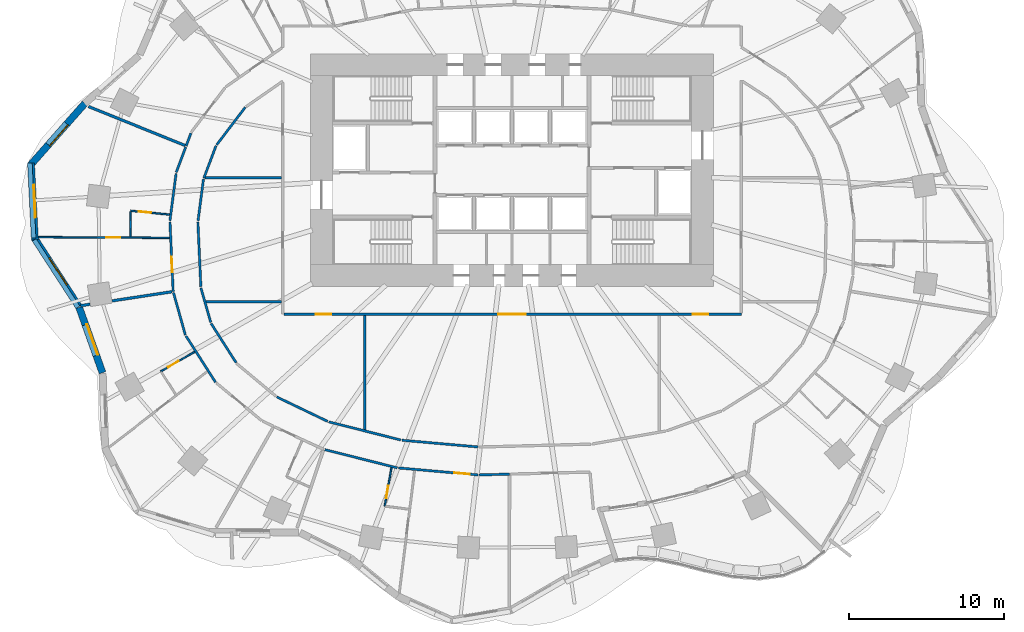
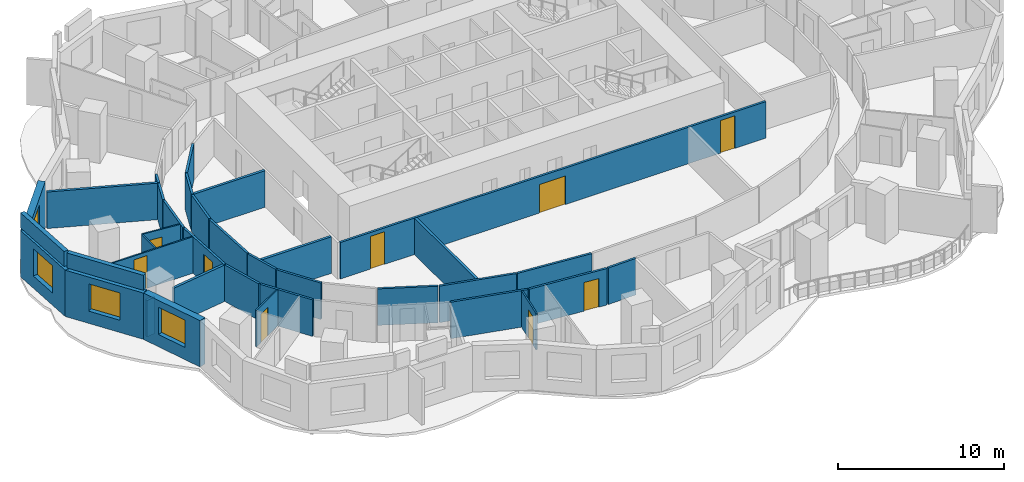
# One storey, part 5 of 14: 36 walls, 9 doors, 4 windows, 13 openings.
"""IFC4 building model written with IfcOpenShell, lengths in metres."""

from ifc_helpers import new_model, si_unit, direction, frame, frame_2d, origin, place, context, subcontext, project, spatial, rectangle, extrude, material, layer, layer_set, type_object, element, fill, save


model = new_model("IFC4")

# Units and contexts
model_context = context("Model", 3, precision=1e-05, world=origin(), true_north=direction((0.0, 1.0)))
body_context = subcontext(model_context, "Body", "Model", "MODEL_VIEW")
ifc_project = project(units=[si_unit("LENGTHUNIT", "METRE"), si_unit("AREAUNIT", "SQUARE_METRE"), si_unit("VOLUMEUNIT", "CUBIC_METRE"), si_unit("PLANEANGLEUNIT", "RADIAN"), si_unit("MASSUNIT", "GRAM", prefix="KILO")], contexts=[model_context])

# Site, building, storey
site_placement = place(None, origin())
site = spatial("IfcSite", under=ifc_project, at=site_placement, CompositionType="ELEMENT")
building_placement = place(site_placement, origin())
building = spatial("IfcBuilding", under=site, at=building_placement, Name="Rubra Terraces Tower", CompositionType="ELEMENT")
storey_placement = place(building_placement, frame((0.0, 0.0, 44.699951171875)))
storey = spatial("IfcBuildingStorey", under=building, at=storey_placement, Name="L08", CompositionType="ELEMENT", Elevation=44.699951171875)

# Walls
ifc_material_1 = material(Name="Twin plasterboard on staggered steel stud, acoustic mineral wool", Category="steel")
ifc_layer_1 = layer(ifc_material_1, 0.175048828125)
ifc_layer_set_1 = layer_set([ifc_layer_1], Name="Twin plasterboard on staggered steel stud, acoustic mineral wool")
wall_type_1 = type_object("IfcWallType", Name="ACOUSTIC PARTY WALL 175", PredefinedType="PARTITIONING", material=ifc_layer_set_1)
wall_1_placement = place(storey_placement, frame((-27.329345703125, 8.60595703125, 0.0), z_axis=(0.0, 0.0, 1.0), x_axis=(0.92718069074, -0.374614424068, 0.0)))
element("IfcWall", 1, at=wall_1_placement, inside=storey, type_object=wall_type_1, Name="PARTITION", PredefinedType="PARTITIONING", context=body_context, shape_type="SweptSolid", body=[
    extrude(rectangle(XDim=6.7197265625, YDim=0.175048828125, at=frame_2d((3.35986328125, 0.0))), origin(), (0.0, 0.0, 1.0), 2.679931640625),
])
wall_2_placement = place(storey_placement, frame((-27.844970703125, -4.249267578125, 0.0), z_axis=(0.0, 0.0, 1.0), x_axis=(0.988533937995, 0.15099885242, 0.0)))
element("IfcWall", 2, at=wall_2_placement, inside=storey, type_object=wall_type_1, Name="PARTITION", PredefinedType="PARTITIONING", context=body_context, shape_type="SweptSolid", body=[
    extrude(rectangle(XDim=0.6240234375, YDim=0.175048828125, at=frame_2d((0.31201171875, 0.0))), origin(), (0.0, 0.0, 1.0), 2.679931640625),
])
wall_3_placement = place(storey_placement, frame((-25.804443359375, -3.937744140625, 0.0), z_axis=(0.0, 0.0, 1.0), x_axis=(0.988549437975, 0.15089734484, 0.0)))
element("IfcWall", 3, at=wall_3_placement, inside=storey, type_object=wall_type_1, Name="PARTITION", PredefinedType="PARTITIONING", context=body_context, shape_type="SweptSolid", body=[
    extrude(rectangle(XDim=3.9072265625, YDim=0.175048828125, at=frame_2d((1.95361328125, 0.0))), origin(), (0.0, 0.0, 1.0), 2.679931640625),
])
wall_4_placement = place(storey_placement, frame((-9.5, -12.256591796875, 0.0), z_axis=(0.0, 0.0, 1.0), x_axis=(0.0, 1.0, 0.0)))
element("IfcWall", 4, at=wall_4_placement, inside=storey, type_object=wall_type_1, Name="PARTITION", PredefinedType="PARTITIONING", context=body_context, shape_type="SweptSolid", body=[
    extrude(rectangle(XDim=7.381591796875, YDim=0.175048828125, at=frame_2d((3.69091796875, 0.0))), origin(), (0.0, 0.0, 1.0), 2.679931640625),
])
wall_5_placement = place(storey_placement, frame((-19.805419921875, 4.0, 0.0), z_axis=(0.0, 0.0, 1.0), x_axis=(1.0, 0.0, 0.0)))
element("IfcWall", 5, at=wall_5_placement, inside=storey, type_object=wall_type_1, Name="PARTITION", PredefinedType="PARTITIONING", context=body_context, shape_type="SweptSolid", body=[
    extrude(rectangle(XDim=4.930419921875, YDim=0.175048828125, at=frame_2d((2.46533203125, 0.0))), origin(), (0.0, 0.0, 1.0), 2.679931640625),
])
wall_6_placement = place(storey_placement, frame((-19.74462890625, -4.0, 0.0), z_axis=(0.0, 0.0, 1.0), x_axis=(1.0, 0.0, 0.0)))
element("IfcWall", 6, at=wall_6_placement, inside=storey, type_object=wall_type_1, Name="PARTITION", PredefinedType="PARTITIONING", context=body_context, shape_type="SweptSolid", body=[
    extrude(rectangle(XDim=4.86962890625, YDim=0.175048828125, at=frame_2d((2.434814453125, 0.0))), origin(), (0.0, 0.0, 1.0), 2.679931640625),
])

# Wall, opening, window
ifc_material_2 = material(Name="Brick masonry red-brown", Category="masonry")
ifc_layer_2 = layer(ifc_material_2, 0.449951171875)
ifc_layer_set_2 = layer_set([ifc_layer_2], Name="Brick masonry red-brown")
wall_type_2 = type_object("IfcWallType", Name="Brick facade wall 450", PredefinedType="SOLIDWALL", material=ifc_layer_set_2)
wall_7_placement = place(storey_placement, frame((-27.560791015625, 8.81005859375, 0.0), z_axis=(0.0, 0.0, 1.0), x_axis=(-0.661706312809, -0.749763132989, 0.0)))
wall_7 = element("IfcWall", 7, at=wall_7_placement, inside=storey, type_object=wall_type_2, Name="Facade wall L08 bay 19", PredefinedType="SOLIDWALL", context=body_context, shape_type="SweptSolid", body=[
    extrude(rectangle(XDim=5.33984375, YDim=0.449951171875, at=frame_2d((2.669921875, 0.0))), origin(), (0.0, 0.0, 1.0), 3.400146484375),
])
opening_1_placement = place(wall_7_placement, frame((1.77001953125, 0.0, 0.89990234375)))
opening_1 = element("IfcOpeningElement", 8, at=opening_1_placement, cuts=wall_7, Name="Opening W6", PredefinedType="OPENING", context=body_context, shape_type="SweptSolid", body=[
    extrude(rectangle(XDim=1.800048828125, YDim=2.0, at=frame_2d((0.89990234375, 1.0))), frame((0.0, 0.23486328125, 0.0), z_axis=(0.0, -1.0, 0.0), x_axis=(1.0, 0.0, 0.0)), (0.0, 0.0, 1.0), 0.469970703125),
])
ifc_material_3 = material(Name="Clear glass in aluminium frame", Category="aluminium")
window_type_1 = type_object("IfcWindowType", Name="Fixed deep-set window at wind fin 1800 x 2000", PartitioningType="SINGLE_PANEL", PredefinedType="WINDOW", material=ifc_material_3)
window_1_placement = place(opening_1_placement, origin())
window_1 = element("IfcWindow", 9, at=window_1_placement, inside=storey, type_object=window_type_1, Name="Window L08 bay 19", OverallHeight=2.0, OverallWidth=1.800048828125, PartitioningType="SINGLE_PANEL", PredefinedType="WINDOW", context=body_context, shape_type="SweptSolid", body=[
    extrude(rectangle(XDim=1.800048828125, YDim=2.0, at=frame_2d((0.89990234375, 1.0))), frame((0.0, 0.135009765625, 0.0), z_axis=(0.0, -1.0, 0.0), x_axis=(1.0, 0.0, 0.0)), (0.0, 0.0, 1.0), 0.06005859375),
])
fill(opening_1, window_1)

wall_8_placement = place(storey_placement, frame((-31.041259765625, 4.96337890625, 0.0), z_axis=(0.0, 0.0, 1.0), x_axis=(0.050222481563, -0.99873805492, 0.0)))
wall_8 = element("IfcWall", 10, at=wall_8_placement, inside=storey, type_object=wall_type_2, Name="Facade wall L08 bay 20", PredefinedType="SOLIDWALL", context=body_context, shape_type="SweptSolid", body=[
    extrude(rectangle(XDim=4.95849609375, YDim=0.449951171875, at=frame_2d((2.479248046875, 0.0))), origin(), (0.0, 0.0, 1.0), 3.400146484375),
])
opening_2_placement = place(wall_8_placement, frame((1.42919921875, 0.0, 0.89990234375)))
opening_2 = element("IfcOpeningElement", 11, at=opening_2_placement, cuts=wall_8, Name="Opening W1", PredefinedType="OPENING", context=body_context, shape_type="SweptSolid", body=[
    extrude(rectangle(XDim=2.10009765625, YDim=2.0, at=frame_2d((1.050048828125, 1.0))), frame((0.0, 0.23486328125, 0.0), z_axis=(0.0, -1.0, 0.0), x_axis=(1.0, 0.0, 0.0)), (0.0, 0.0, 1.0), 0.469970703125),
])
window_type_2 = type_object("IfcWindowType", Name="Fixed deep-set window 2100 x 2000", PartitioningType="SINGLE_PANEL", PredefinedType="WINDOW", material=ifc_material_3)
window_2_placement = place(opening_2_placement, origin())
window_2 = element("IfcWindow", 12, at=window_2_placement, inside=storey, type_object=window_type_2, Name="Window L08 bay 20", OverallHeight=2.0, OverallWidth=2.10009765625, PartitioningType="SINGLE_PANEL", PredefinedType="WINDOW", context=body_context, shape_type="SweptSolid", body=[
    extrude(rectangle(XDim=2.10009765625, YDim=2.0, at=frame_2d((1.050048828125, 1.0))), frame((0.0, 0.135009765625, 0.0), z_axis=(0.0, -1.0, 0.0), x_axis=(1.0, 0.0, 0.0)), (0.0, 0.0, 1.0), 0.06005859375),
])
fill(opening_2, window_2)

wall_9_placement = place(storey_placement, frame((-30.8251953125, 0.117431640625, 0.0), z_axis=(0.0, 0.0, 1.0), x_axis=(0.543975629516, -0.839101015666, 0.0)))
wall_9 = element("IfcWall", 13, at=wall_9_placement, inside=storey, type_object=wall_type_2, Name="Facade wall L08 bay 21", PredefinedType="SOLIDWALL", context=body_context, shape_type="SweptSolid", body=[
    extrude(rectangle(XDim=5.281005859375, YDim=0.449951171875, at=frame_2d((2.640625, 0.0))), origin(), (0.0, 0.0, 1.0), 3.400146484375),
])
opening_3_placement = place(wall_9_placement, frame((1.590576171875, 0.0, 0.89990234375)))
opening_3 = element("IfcOpeningElement", 14, at=opening_3_placement, cuts=wall_9, Name="Opening W1", PredefinedType="OPENING", context=body_context, shape_type="SweptSolid", body=[
    extrude(rectangle(XDim=2.10009765625, YDim=2.0, at=frame_2d((1.050048828125, 1.0))), frame((0.0, 0.23486328125, 0.0), z_axis=(0.0, -1.0, 0.0), x_axis=(1.0, 0.0, 0.0)), (0.0, 0.0, 1.0), 0.469970703125),
])
window_3_placement = place(opening_3_placement, origin())
window_3 = element("IfcWindow", 15, at=window_3_placement, inside=storey, type_object=window_type_2, Name="Window L08 bay 21", OverallHeight=2.0, OverallWidth=2.10009765625, PartitioningType="SINGLE_PANEL", PredefinedType="WINDOW", context=body_context, shape_type="SweptSolid", body=[
    extrude(rectangle(XDim=2.10009765625, YDim=2.0, at=frame_2d((1.050048828125, 1.0))), frame((0.0, 0.135009765625, 0.0), z_axis=(0.0, -1.0, 0.0), x_axis=(1.0, 0.0, 0.0)), (0.0, 0.0, 1.0), 0.06005859375),
])
fill(opening_3, window_3)

wall_10_placement = place(storey_placement, frame((-27.9326171875, -4.35595703125, 0.0), z_axis=(0.0, 0.0, 1.0), x_axis=(0.335746005454, -0.941952557097, 0.0)))
wall_10 = element("IfcWall", 16, at=wall_10_placement, inside=storey, type_object=wall_type_2, Name="Facade wall L08 bay 22", PredefinedType="SOLIDWALL", context=body_context, shape_type="SweptSolid", body=[
    extrude(rectangle(XDim=4.47998046875, YDim=0.449951171875, at=frame_2d((2.239990234375, 0.0))), origin(), (0.0, 0.0, 1.0), 3.400146484375),
])
opening_4_placement = place(wall_10_placement, frame((1.18994140625, 0.0, 0.89990234375)))
opening_4 = element("IfcOpeningElement", 17, at=opening_4_placement, cuts=wall_10, Name="Opening W1", PredefinedType="OPENING", context=body_context, shape_type="SweptSolid", body=[
    extrude(rectangle(XDim=2.10009765625, YDim=2.0, at=frame_2d((1.050048828125, 1.0))), frame((0.0, 0.23486328125, 0.0), z_axis=(0.0, -1.0, 0.0), x_axis=(1.0, 0.0, 0.0)), (0.0, 0.0, 1.0), 0.469970703125),
])
window_4_placement = place(opening_4_placement, origin())
window_4 = element("IfcWindow", 18, at=window_4_placement, inside=storey, type_object=window_type_2, Name="Window L08 bay 22", OverallHeight=2.0, OverallWidth=2.10009765625, PartitioningType="SINGLE_PANEL", PredefinedType="WINDOW", context=body_context, shape_type="SweptSolid", body=[
    extrude(rectangle(XDim=2.10009765625, YDim=2.0, at=frame_2d((1.050048828125, 1.0))), frame((0.0, 0.135009765625, 0.0), z_axis=(0.0, -1.0, 0.0), x_axis=(1.0, 0.0, 0.0)), (0.0, 0.0, 1.0), 0.06005859375),
])
fill(opening_4, window_4)

# Walls
ifc_layer_3 = layer(ifc_material_2, 0.300048828125)
ifc_layer_set_3 = layer_set([ifc_layer_3], Name="Brick masonry red-brown")
wall_type_3 = type_object("IfcWallType", Name="Brick parapet 300", PredefinedType="PARAPET", material=ifc_layer_set_3)
wall_11_placement = place(storey_placement, frame((-31.1162109375, 4.95947265625, 3.60009765625), z_axis=(0.0, 0.0, 1.0), x_axis=(0.05021140618, -0.998738611795, 0.0)))
element("IfcWall", 19, at=wall_11_placement, inside=storey, type_object=wall_type_3, Name="Parapet L08 bay 20", PredefinedType="PARAPET", context=body_context, shape_type="SweptSolid", body=[
    extrude(rectangle(XDim=4.84765625, YDim=0.300048828125, at=frame_2d((2.423828125, 0.0))), origin(), (0.0, 0.0, 1.0), 1.099853515625),
])
wall_12_placement = place(storey_placement, frame((-30.8310546875, -0.01123046875, 3.60009765625), z_axis=(0.0, 0.0, 1.0), x_axis=(0.543918219167, -0.839138231079, 0.0)))
element("IfcWall", 20, at=wall_12_placement, inside=storey, type_object=wall_type_3, Name="Parapet L08 bay 21", PredefinedType="PARAPET", context=body_context, shape_type="SweptSolid", body=[
    extrude(rectangle(XDim=5.17431640625, YDim=0.300048828125, at=frame_2d((2.587158203125, 0.0))), origin(), (0.0, 0.0, 1.0), 1.099853515625),
])
ifc_material_4 = material(Name="Plasterboard on steel stud, mineral wool infill", Category="steel")
ifc_layer_4 = layer(ifc_material_4, 0.14990234375)
ifc_layer_set_4 = layer_set([ifc_layer_4], Name="Plasterboard on steel stud, mineral wool infill")
wall_type_4 = type_object("IfcWallType", Name="CORRIDOR PARTITION 150", PredefinedType="PARTITIONING", material=ifc_layer_set_4)
wall_13_placement = place(storey_placement, frame((-20.719970703125, 6.884521484375, 0.0), z_axis=(0.0, 0.0, 1.0), x_axis=(-0.351457811596, -0.936203720708, 0.0)))
element("IfcWall", 21, at=wall_13_placement, inside=storey, type_object=wall_type_4, Name="PARTITION", PredefinedType="PARTITIONING", context=body_context, shape_type="SweptSolid", body=[
    extrude(rectangle(XDim=0.880126953125, YDim=0.14990234375, at=frame_2d((0.43994140625, 0.0))), origin(), (0.0, 0.0, 1.0), 2.679931640625),
])
wall_14_placement = place(storey_placement, frame((-21.055908203125, 5.990234375, 0.0), z_axis=(0.0, 0.0, 1.0), x_axis=(-0.351445911603, -0.936208187967, 0.0)))
element("IfcWall", 22, at=wall_14_placement, inside=storey, type_object=wall_type_4, Name="PARTITION", PredefinedType="PARTITIONING", context=body_context, shape_type="SweptSolid", body=[
    extrude(rectangle(XDim=1.7421875, YDim=0.14990234375, at=frame_2d((0.87109375, 0.0))), origin(), (0.0, 0.0, 1.0), 2.679931640625),
])
wall_15_placement = place(storey_placement, frame((-21.677978515625, 4.28466796875, 0.0), z_axis=(0.0, 0.0, 1.0), x_axis=(-0.129922755307, -0.991524118543, 0.0)))
element("IfcWall", 23, at=wall_15_placement, inside=storey, type_object=wall_type_4, Name="PARTITION", PredefinedType="PARTITIONING", context=body_context, shape_type="SweptSolid", body=[
    extrude(rectangle(XDim=3.076171875, YDim=0.14990234375, at=frame_2d((1.5380859375, 0.0))), origin(), (0.0, 0.0, 1.0), 2.679931640625),
])

# Wall, opening, door
wall_16_placement = place(storey_placement, frame((-22.07421875, 1.159912109375, 0.0), z_axis=(0.0, 0.0, 1.0), x_axis=(0.04582833941, -0.998949329699, 0.0)))
wall_16 = element("IfcWall", 24, at=wall_16_placement, inside=storey, type_object=wall_type_4, Name="PARTITION", PredefinedType="PARTITIONING", context=body_context, shape_type="SweptSolid", body=[
    extrude(rectangle(XDim=4.50146484375, YDim=0.14990234375, at=frame_2d((2.250732421875, 0.0))), origin(), (0.0, 0.0, 1.0), 2.679931640625),
])
opening_5_placement = place(wall_16_placement, frame((2.26708984375, 0.0, 0.0)))
opening_5 = element("IfcOpeningElement", 25, at=opening_5_placement, cuts=wall_16, Name="Opening 08-115", PredefinedType="OPENING", context=body_context, shape_type="SweptSolid", body=[
    extrude(rectangle(XDim=1.0, YDim=2.10009765625, at=frame_2d((0.5, 1.050048828125))), frame((0.0, 0.0849609375, 0.0), z_axis=(0.0, -1.0, 0.0), x_axis=(1.0, 0.0, 0.0)), (0.0, 0.0, 1.0), 0.169921875),
])
ifc_material_5 = material(Name="Painted timber door leaf", Category="wood")
door_type_1 = type_object("IfcDoorType", Name="ROOM DOOR 1000 X 2100", OperationType="SINGLE_SWING_LEFT", PredefinedType="DOOR", material=ifc_material_5)
door_1_placement = place(opening_5_placement, origin())
door_1 = element("IfcDoor", 26, at=door_1_placement, inside=storey, type_object=door_type_1, Name="DOOR 08-115", OperationType="SINGLE_SWING_RIGHT", OverallHeight=2.10009765625, OverallWidth=1.0, PredefinedType="DOOR", context=body_context, shape_type="SweptSolid", body=[
    extrude(rectangle(XDim=1.0, YDim=2.10009765625, at=frame_2d((0.5, 1.050048828125))), frame((0.0, 0.02490234375, 0.0), z_axis=(0.0, -1.0, 0.0), x_axis=(1.0, 0.0, 0.0)), (0.0, 0.0, 1.0), 0.050048828125),
])
fill(opening_5, door_1)

# Walls
wall_17_placement = place(storey_placement, frame((-21.84765625, -3.408935546875, 0.0), z_axis=(0.0, 0.0, 1.0), x_axis=(0.27056596431, -0.962701438119, 0.0)))
element("IfcWall", 27, at=wall_17_placement, inside=storey, type_object=wall_type_4, Name="PARTITION", PredefinedType="PARTITIONING", context=body_context, shape_type="SweptSolid", body=[
    extrude(rectangle(XDim=2.834228515625, YDim=0.14990234375, at=frame_2d((1.4169921875, 0.0))), origin(), (0.0, 0.0, 1.0), 2.679931640625),
])
wall_18_placement = place(storey_placement, frame((-21.04052734375, -6.20068359375, 0.0), z_axis=(0.0, 0.0, 1.0), x_axis=(0.537680823918, -0.843148463552, 0.0)))
element("IfcWall", 28, at=wall_18_placement, inside=storey, type_object=wall_type_4, Name="PARTITION", PredefinedType="PARTITIONING", context=body_context, shape_type="SweptSolid", body=[
    extrude(rectangle(XDim=3.54931640625, YDim=0.14990234375, at=frame_2d((1.774658203125, 0.0))), origin(), (0.0, 0.0, 1.0), 2.679931640625),
])
wall_19_placement = place(storey_placement, frame((-12.082763671875, -13.539794921875, 0.0), z_axis=(0.0, 0.0, 1.0), x_axis=(0.969981460173, -0.243178878443, 0.0)))
element("IfcWall", 29, at=wall_19_placement, inside=storey, type_object=wall_type_4, Name="PARTITION", PredefinedType="PARTITIONING", context=body_context, shape_type="SweptSolid", body=[
    extrude(rectangle(XDim=4.822021484375, YDim=0.14990234375, at=frame_2d((2.4111328125, 0.0))), origin(), (0.0, 0.0, 1.0), 2.679931640625),
])

# Wall, opening, door
wall_20_placement = place(storey_placement, frame((-7.330810546875, -14.718994140625, 0.0), z_axis=(0.0, 0.0, 1.0), x_axis=(0.996139466017, -0.087784760882, 0.0)))
wall_20 = element("IfcWall", 30, at=wall_20_placement, inside=storey, type_object=wall_type_4, Name="PARTITION", PredefinedType="PARTITIONING", context=body_context, shape_type="SweptSolid", body=[
    extrude(rectangle(XDim=5.161865234375, YDim=0.14990234375, at=frame_2d((2.5810546875, 0.0))), origin(), (0.0, 0.0, 1.0), 2.679931640625),
])
opening_6_placement = place(wall_20_placement, frame((3.6220703125, 0.0, 0.0)))
opening_6 = element("IfcOpeningElement", 31, at=opening_6_placement, cuts=wall_20, Name="Opening 08-123", PredefinedType="OPENING", context=body_context, shape_type="SweptSolid", body=[
    extrude(rectangle(XDim=1.0, YDim=2.10009765625, at=frame_2d((0.5, 1.050048828125))), frame((0.0, 0.0849609375, 0.0), z_axis=(0.0, -1.0, 0.0), x_axis=(1.0, 0.0, 0.0)), (0.0, 0.0, 1.0), 0.169921875),
])
door_2_placement = place(opening_6_placement, origin())
door_2 = element("IfcDoor", 32, at=door_2_placement, inside=storey, type_object=door_type_1, Name="DOOR 08-123", OperationType="SINGLE_SWING_RIGHT", OverallHeight=2.10009765625, OverallWidth=1.0, PredefinedType="DOOR", context=body_context, shape_type="SweptSolid", body=[
    extrude(rectangle(XDim=1.0, YDim=2.10009765625, at=frame_2d((0.5, 1.050048828125))), frame((0.0, 0.02490234375, 0.0), z_axis=(0.0, -1.0, 0.0), x_axis=(1.0, 0.0, 0.0)), (0.0, 0.0, 1.0), 0.050048828125),
])
fill(opening_6, door_2)

# Walls
wall_21_placement = place(storey_placement, frame((-2.114013671875, -15.170166015625, 0.0), z_axis=(0.0, 0.0, 1.0), x_axis=(0.999660986361, 0.026036749958, 0.0)))
element("IfcWall", 33, at=wall_21_placement, inside=storey, type_object=wall_type_4, Name="PARTITION", PredefinedType="PARTITIONING", context=body_context, shape_type="SweptSolid", body=[
    extrude(rectangle(XDim=1.950439453125, YDim=0.14990234375, at=frame_2d((0.97509765625, 0.0))), origin(), (0.0, 0.0, 1.0), 2.679931640625),
])
wall_22_placement = place(storey_placement, frame((-2.207763671875, -13.363525390625, 0.0), z_axis=(0.0, 0.0, 1.0), x_axis=(-0.996134962793, 0.087835846335, 0.0)))
element("IfcWall", 34, at=wall_22_placement, inside=storey, type_object=wall_type_4, Name="PARTITION", PredefinedType="PARTITIONING", context=body_context, shape_type="SweptSolid", body=[
    extrude(rectangle(XDim=4.9169921875, YDim=0.14990234375, at=frame_2d((2.45849609375, 0.0))), origin(), (0.0, 0.0, 1.0), 2.679931640625),
])
wall_23_placement = place(storey_placement, frame((-7.178466796875, -12.91357421875, 0.0), z_axis=(0.0, 0.0, 1.0), x_axis=(-0.969983523639, 0.243170647628, 0.0)))
element("IfcWall", 35, at=wall_23_placement, inside=storey, type_object=wall_type_4, Name="PARTITION", PredefinedType="PARTITIONING", context=body_context, shape_type="SweptSolid", body=[
    extrude(rectangle(XDim=4.7939453125, YDim=0.14990234375, at=frame_2d((2.39697265625, 0.0))), origin(), (0.0, 0.0, 1.0), 2.679931640625),
])
wall_24_placement = place(storey_placement, frame((-11.896240234375, -11.71533203125, 0.0), z_axis=(0.0, 0.0, 1.0), x_axis=(-0.901466605799, 0.432848655571, 0.0)))
element("IfcWall", 36, at=wall_24_placement, inside=storey, type_object=wall_type_4, Name="PARTITION", PredefinedType="PARTITIONING", context=body_context, shape_type="SweptSolid", body=[
    extrude(rectangle(XDim=3.644775390625, YDim=0.14990234375, at=frame_2d((1.822265625, 0.0))), origin(), (0.0, 0.0, 1.0), 2.679931640625),
])
wall_25_placement = place(storey_placement, frame((-17.805419921875, -7.925537109375, 0.0), z_axis=(0.0, 0.0, 1.0), x_axis=(-0.537721158465, 0.843122740613, 0.0)))
element("IfcWall", 37, at=wall_25_placement, inside=storey, type_object=wall_type_4, Name="PARTITION", PredefinedType="PARTITIONING", context=body_context, shape_type="SweptSolid", body=[
    extrude(rectangle(XDim=3.006591796875, YDim=0.14990234375, at=frame_2d((1.50341796875, 0.0))), origin(), (0.0, 0.0, 1.0), 2.679931640625),
])
wall_26_placement = place(storey_placement, frame((-19.44287109375, -5.318603515625, 0.0), z_axis=(0.0, 0.0, 1.0), x_axis=(-0.274791002319, 0.961503980774, 0.0)))
element("IfcWall", 38, at=wall_26_placement, inside=storey, type_object=wall_type_4, Name="PARTITION", PredefinedType="PARTITIONING", context=body_context, shape_type="SweptSolid", body=[
    extrude(rectangle(XDim=2.307373046875, YDim=0.14990234375, at=frame_2d((1.15380859375, 0.0))), origin(), (0.0, 0.0, 1.0), 2.679931640625),
])
wall_27_placement = place(storey_placement, frame((-20.080322265625, -3.025390625, 0.0), z_axis=(0.0, 0.0, 1.0), x_axis=(-0.04581750387, 0.998949826738, 0.0)))
element("IfcWall", 39, at=wall_27_placement, inside=storey, type_object=wall_type_4, Name="PARTITION", PredefinedType="PARTITIONING", context=body_context, shape_type="SweptSolid", body=[
    extrude(rectangle(XDim=4.188232421875, YDim=0.14990234375, at=frame_2d((2.09423828125, 0.0))), origin(), (0.0, 0.0, 1.0), 2.679931640625),
])
wall_28_placement = place(storey_placement, frame((-20.262451171875, 1.23291015625, 0.0), z_axis=(0.0, 0.0, 1.0), x_axis=(0.129897568593, 0.991527418518, 0.0)))
element("IfcWall", 40, at=wall_28_placement, inside=storey, type_object=wall_type_4, Name="PARTITION", PredefinedType="PARTITIONING", context=body_context, shape_type="SweptSolid", body=[
    extrude(rectangle(XDim=2.710205078125, YDim=0.14990234375, at=frame_2d((1.35498046875, 0.0))), origin(), (0.0, 0.0, 1.0), 2.679931640625),
])
wall_29_placement = place(storey_placement, frame((-19.8837890625, 3.990234375, 0.0), z_axis=(0.0, 0.0, 1.0), x_axis=(0.351423736928, 0.936216511884, 0.0)))
element("IfcWall", 41, at=wall_29_placement, inside=storey, type_object=wall_type_4, Name="PARTITION", PredefinedType="PARTITIONING", context=body_context, shape_type="SweptSolid", body=[
    extrude(rectangle(XDim=2.227294921875, YDim=0.14990234375, at=frame_2d((1.11376953125, 0.0))), origin(), (0.0, 0.0, 1.0), 2.679931640625),
])
wall_30_placement = place(storey_placement, frame((-19.0556640625, 6.135009765625, 0.0), z_axis=(0.0, 0.0, 1.0), x_axis=(0.604999774258, 0.796225642107, 0.0)))
element("IfcWall", 42, at=wall_30_placement, inside=storey, type_object=wall_type_4, Name="PARTITION", PredefinedType="PARTITIONING", context=body_context, shape_type="SweptSolid", body=[
    extrude(rectangle(XDim=3.039794921875, YDim=0.14990234375, at=frame_2d((1.52001953125, 0.0))), origin(), (0.0, 0.0, 1.0), 2.679931640625),
])

# Wall, openings, doors
wall_31_placement = place(storey_placement, frame((-14.72509765625, -4.800048828125, 0.0), z_axis=(0.0, 0.0, 1.0), x_axis=(1.0, 0.0, 0.0)))
wall_31 = element("IfcWall", 43, at=wall_31_placement, inside=storey, type_object=wall_type_4, Name="PARTITION", PredefinedType="PARTITIONING", context=body_context, shape_type="SweptSolid", body=[
    extrude(rectangle(XDim=29.525146484375, YDim=0.14990234375, at=frame_2d((14.7626953125, 0.0))), origin(), (0.0, 0.0, 1.0), 2.679931640625),
])
opening_7_placement = place(wall_31_placement, frame((2.074951171875, 0.0, 0.0)))
opening_7 = element("IfcOpeningElement", 44, at=opening_7_placement, cuts=wall_31, Name="Opening 08-136", PredefinedType="OPENING", context=body_context, shape_type="SweptSolid", body=[
    extrude(rectangle(XDim=1.0, YDim=2.39990234375, at=frame_2d((0.5, 1.199951171875))), frame((0.0, 0.0849609375, 0.0), z_axis=(0.0, -1.0, 0.0), x_axis=(1.0, 0.0, 0.0)), (0.0, 0.0, 1.0), 0.169921875),
])
opening_8_placement = place(wall_31_placement, frame((13.824951171875, 0.0, 0.0)))
opening_8 = element("IfcOpeningElement", 45, at=opening_8_placement, cuts=wall_31, Name="Opening 08-137", PredefinedType="OPENING", context=body_context, shape_type="SweptSolid", body=[
    extrude(rectangle(XDim=1.800048828125, YDim=2.10009765625, at=frame_2d((0.89990234375, 1.050048828125))), frame((0.0, 0.0849609375, 0.0), z_axis=(0.0, -1.0, 0.0), x_axis=(1.0, 0.0, 0.0)), (0.0, 0.0, 1.0), 0.169921875),
])
opening_9_placement = place(wall_31_placement, frame((26.375, 0.0, 0.0)))
opening_9 = element("IfcOpeningElement", 46, at=opening_9_placement, cuts=wall_31, Name="Opening 08-138", PredefinedType="OPENING", context=body_context, shape_type="SweptSolid", body=[
    extrude(rectangle(XDim=1.0, YDim=2.39990234375, at=frame_2d((0.5, 1.199951171875))), frame((0.0, 0.0849609375, 0.0), z_axis=(0.0, -1.0, 0.0), x_axis=(1.0, 0.0, 0.0)), (0.0, 0.0, 1.0), 0.169921875),
])
ifc_material_6 = material(Name="Glazed aluminium meeting door leaf", Category="aluminium")
door_type_2 = type_object("IfcDoorType", Name="MEETING ROOM GLAZED DOOR 1000 X 2400", OperationType="SINGLE_SWING_LEFT", PredefinedType="DOOR", material=ifc_material_6)
door_3_placement = place(opening_7_placement, origin())
door_3 = element("IfcDoor", 47, at=door_3_placement, inside=storey, type_object=door_type_2, Name="DOOR 08-136", OperationType="SINGLE_SWING_RIGHT", OverallHeight=2.39990234375, OverallWidth=1.0, PredefinedType="DOOR", context=body_context, shape_type="SweptSolid", body=[
    extrude(rectangle(XDim=1.0, YDim=2.39990234375, at=frame_2d((0.5, 1.199951171875))), frame((0.0, 0.02490234375, 0.0), z_axis=(0.0, -1.0, 0.0), x_axis=(1.0, 0.0, 0.0)), (0.0, 0.0, 1.0), 0.050048828125),
])
fill(opening_7, door_3)
door_4_placement = place(opening_9_placement, origin())
door_4 = element("IfcDoor", 48, at=door_4_placement, inside=storey, type_object=door_type_2, Name="DOOR 08-138", OperationType="SINGLE_SWING_RIGHT", OverallHeight=2.39990234375, OverallWidth=1.0, PredefinedType="DOOR", context=body_context, shape_type="SweptSolid", body=[
    extrude(rectangle(XDim=1.0, YDim=2.39990234375, at=frame_2d((0.5, 1.199951171875))), frame((0.0, 0.02490234375, 0.0), z_axis=(0.0, -1.0, 0.0), x_axis=(1.0, 0.0, 0.0)), (0.0, 0.0, 1.0), 0.050048828125),
])
fill(opening_9, door_4)
ifc_material_7 = material(Name="Painted timber door leaf, double", Category="wood")
door_type_3 = type_object("IfcDoorType", Name="ROOM DOUBLE DOOR 1800 X 2100", OperationType="DOUBLE_DOOR_SINGLE_SWING", PredefinedType="DOOR", material=ifc_material_7)
door_5_placement = place(opening_8_placement, origin())
door_5 = element("IfcDoor", 49, at=door_5_placement, inside=storey, type_object=door_type_3, Name="DOOR 08-137", OperationType="DOUBLE_DOOR_SINGLE_SWING", OverallHeight=2.10009765625, OverallWidth=1.800048828125, PredefinedType="DOOR", context=body_context, shape_type="SweptSolid", body=[
    extrude(rectangle(XDim=1.800048828125, YDim=2.10009765625, at=frame_2d((0.89990234375, 1.050048828125))), frame((0.0, 0.02490234375, 0.0), z_axis=(0.0, -1.0, 0.0), x_axis=(1.0, 0.0, 0.0)), (0.0, 0.0, 1.0), 0.050048828125),
])
fill(opening_8, door_5)

# Wall, opening, door
ifc_material_8 = material(Name="Plasterboard on steel stud", Category="steel")
ifc_layer_5 = layer(ifc_material_8, 0.10009765625)
ifc_layer_set_5 = layer_set([ifc_layer_5], Name="Plasterboard on steel stud")
wall_type_5 = type_object("IfcWallType", Name="ROOM PARTITION 100", PredefinedType="PARTITIONING", material=ifc_layer_set_5)
wall_32_placement = place(storey_placement, frame((-30.5712890625, 0.17578125, 0.0), z_axis=(0.0, 0.0, 1.0), x_axis=(0.999984039808, -0.005649790199, 0.0)))
wall_32 = element("IfcWall", 50, at=wall_32_placement, inside=storey, type_object=wall_type_5, Name="PARTITION", PredefinedType="PARTITIONING", context=body_context, shape_type="SweptSolid", body=[
    extrude(rectangle(XDim=8.4697265625, YDim=0.10009765625, at=frame_2d((4.23486328125, 0.0))), origin(), (0.0, 0.0, 1.0), 2.679931640625),
])
opening_10_placement = place(wall_32_placement, frame((4.39501953125, 0.0, 0.0)))
opening_10 = element("IfcOpeningElement", 51, at=opening_10_placement, cuts=wall_32, Name="Opening 08-114", PredefinedType="OPENING", context=body_context, shape_type="SweptSolid", body=[
    extrude(rectangle(XDim=0.89990234375, YDim=2.39990234375, at=frame_2d((0.449951171875, 1.199951171875))), frame((0.0, 0.06005859375, 0.0), z_axis=(0.0, -1.0, 0.0), x_axis=(1.0, 0.0, 0.0)), (0.0, 0.0, 1.0), 0.1201171875),
])
ifc_material_9 = material(Name="Veneered timber door leaf, fire-rated", Category="wood")
door_type_4 = type_object("IfcDoorType", Name="SUITE ENTRANCE DOOR 900 X 2400", OperationType="SINGLE_SWING_LEFT", PredefinedType="DOOR", material=ifc_material_9)
door_6_placement = place(opening_10_placement, origin())
door_6 = element("IfcDoor", 52, at=door_6_placement, inside=storey, type_object=door_type_4, Name="DOOR 08-114", OperationType="SINGLE_SWING_LEFT", OverallHeight=2.39990234375, OverallWidth=0.89990234375, PredefinedType="DOOR", context=body_context, shape_type="SweptSolid", body=[
    extrude(rectangle(XDim=0.89990234375, YDim=2.39990234375, at=frame_2d((0.449951171875, 1.199951171875))), frame((0.0, 0.02490234375, 0.0), z_axis=(0.0, -1.0, 0.0), x_axis=(1.0, 0.0, 0.0)), (0.0, 0.0, 1.0), 0.050048828125),
])
fill(opening_10, door_6)

wall_33_placement = place(storey_placement, frame((-22.101318359375, 1.63037109375, 0.0), z_axis=(0.0, 0.0, 1.0), x_axis=(-0.99518257626, 0.098038971372, 0.0)))
wall_33 = element("IfcWall", 53, at=wall_33_placement, inside=storey, type_object=wall_type_5, Name="PARTITION", PredefinedType="PARTITIONING", context=body_context, shape_type="SweptSolid", body=[
    extrude(rectangle(XDim=2.525146484375, YDim=0.10009765625, at=frame_2d((1.2626953125, 0.0))), origin(), (0.0, 0.0, 1.0), 2.679931640625),
])
opening_11_placement = place(wall_33_placement, frame((1.199951171875, 0.0, 0.0)))
opening_11 = element("IfcOpeningElement", 54, at=opening_11_placement, cuts=wall_33, Name="Opening 08-113", PredefinedType="OPENING", context=body_context, shape_type="SweptSolid", body=[
    extrude(rectangle(XDim=0.800048828125, YDim=2.10009765625, at=frame_2d((0.39990234375, 1.050048828125))), frame((0.0, 0.06005859375, 0.0), z_axis=(0.0, -1.0, 0.0), x_axis=(1.0, 0.0, 0.0)), (0.0, 0.0, 1.0), 0.1201171875),
])
door_type_5 = type_object("IfcDoorType", Name="BATHROOM DOOR 800 X 2100", OperationType="SINGLE_SWING_LEFT", PredefinedType="DOOR", material=ifc_material_5)
door_7_placement = place(opening_11_placement, origin())
door_7 = element("IfcDoor", 55, at=door_7_placement, inside=storey, type_object=door_type_5, Name="DOOR 08-113", OperationType="SINGLE_SWING_LEFT", OverallHeight=2.10009765625, OverallWidth=0.800048828125, PredefinedType="DOOR", context=body_context, shape_type="SweptSolid", body=[
    extrude(rectangle(XDim=0.800048828125, YDim=2.10009765625, at=frame_2d((0.39990234375, 1.050048828125))), frame((0.0, 0.02490234375, 0.0), z_axis=(0.0, -1.0, 0.0), x_axis=(1.0, 0.0, 0.0)), (0.0, 0.0, 1.0), 0.050048828125),
])
fill(opening_11, door_7)

# Wall
wall_34_placement = place(storey_placement, frame((-24.614501953125, 1.827880859375, 0.0), z_axis=(0.0, 0.0, 1.0), x_axis=(-0.007313237259, -0.999973257923, 0.0)))
element("IfcWall", 56, at=wall_34_placement, inside=storey, type_object=wall_type_5, Name="PARTITION", PredefinedType="PARTITIONING", context=body_context, shape_type="SweptSolid", body=[
    extrude(rectangle(XDim=1.6357421875, YDim=0.10009765625, at=frame_2d((0.81787109375, 0.0))), origin(), (0.0, 0.0, 1.0), 2.679931640625),
])

# Wall, opening, door
wall_35_placement = place(storey_placement, frame((-20.476806640625, -7.22412109375, 0.0), z_axis=(0.0, 0.0, 1.0), x_axis=(-0.865450559372, -0.50099434057, 0.0)))
wall_35 = element("IfcWall", 57, at=wall_35_placement, inside=storey, type_object=wall_type_5, Name="PARTITION", PredefinedType="PARTITIONING", context=body_context, shape_type="SweptSolid", body=[
    extrude(rectangle(XDim=2.524658203125, YDim=0.10009765625, at=frame_2d((1.26220703125, 0.0))), origin(), (0.0, 0.0, 1.0), 2.679931640625),
])
opening_12_placement = place(wall_35_placement, frame((1.199951171875, 0.0, 0.0)))
opening_12 = element("IfcOpeningElement", 58, at=opening_12_placement, cuts=wall_35, Name="Opening 08-116", PredefinedType="OPENING", context=body_context, shape_type="SweptSolid", body=[
    extrude(rectangle(XDim=0.800048828125, YDim=2.10009765625, at=frame_2d((0.39990234375, 1.050048828125))), frame((0.0, 0.06005859375, 0.0), z_axis=(0.0, -1.0, 0.0), x_axis=(1.0, 0.0, 0.0)), (0.0, 0.0, 1.0), 0.1201171875),
])
door_8_placement = place(opening_12_placement, origin())
door_8 = element("IfcDoor", 59, at=door_8_placement, inside=storey, type_object=door_type_5, Name="DOOR 08-116", OperationType="SINGLE_SWING_LEFT", OverallHeight=2.10009765625, OverallWidth=0.800048828125, PredefinedType="DOOR", context=body_context, shape_type="SweptSolid", body=[
    extrude(rectangle(XDim=0.800048828125, YDim=2.10009765625, at=frame_2d((0.39990234375, 1.050048828125))), frame((0.0, 0.02490234375, 0.0), z_axis=(0.0, -1.0, 0.0), x_axis=(1.0, 0.0, 0.0)), (0.0, 0.0, 1.0), 0.050048828125),
])
fill(opening_12, door_8)

wall_36_placement = place(storey_placement, frame((-7.77587890625, -14.696533203125, 0.0), z_axis=(0.0, 0.0, 1.0), x_axis=(-0.173360606745, -0.984858416235, 0.0)))
wall_36 = element("IfcWall", 60, at=wall_36_placement, inside=storey, type_object=wall_type_5, Name="PARTITION", PredefinedType="PARTITIONING", context=body_context, shape_type="SweptSolid", body=[
    extrude(rectangle(XDim=2.525146484375, YDim=0.10009765625, at=frame_2d((1.2626953125, 0.0))), origin(), (0.0, 0.0, 1.0), 2.679931640625),
])
opening_13_placement = place(wall_36_placement, frame((1.199951171875, 0.0, 0.0)))
opening_13 = element("IfcOpeningElement", 61, at=opening_13_placement, cuts=wall_36, Name="Opening 08-121", PredefinedType="OPENING", context=body_context, shape_type="SweptSolid", body=[
    extrude(rectangle(XDim=0.800048828125, YDim=2.10009765625, at=frame_2d((0.39990234375, 1.050048828125))), frame((0.0, 0.06005859375, 0.0), z_axis=(0.0, -1.0, 0.0), x_axis=(1.0, 0.0, 0.0)), (0.0, 0.0, 1.0), 0.1201171875),
])
door_9_placement = place(opening_13_placement, origin())
door_9 = element("IfcDoor", 62, at=door_9_placement, inside=storey, type_object=door_type_5, Name="DOOR 08-121", OperationType="SINGLE_SWING_LEFT", OverallHeight=2.10009765625, OverallWidth=0.800048828125, PredefinedType="DOOR", context=body_context, shape_type="SweptSolid", body=[
    extrude(rectangle(XDim=0.800048828125, YDim=2.10009765625, at=frame_2d((0.39990234375, 1.050048828125))), frame((0.0, 0.02490234375, 0.0), z_axis=(0.0, -1.0, 0.0), x_axis=(1.0, 0.0, 0.0)), (0.0, 0.0, 1.0), 0.050048828125),
])
fill(opening_13, door_9)

save(model, "model.ifc")
